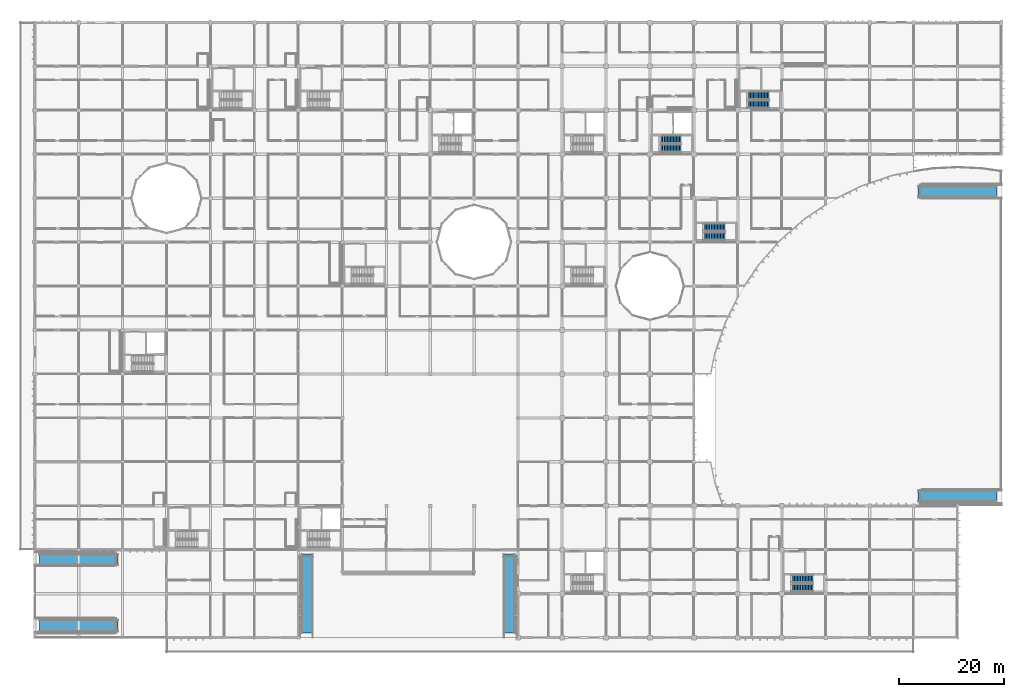
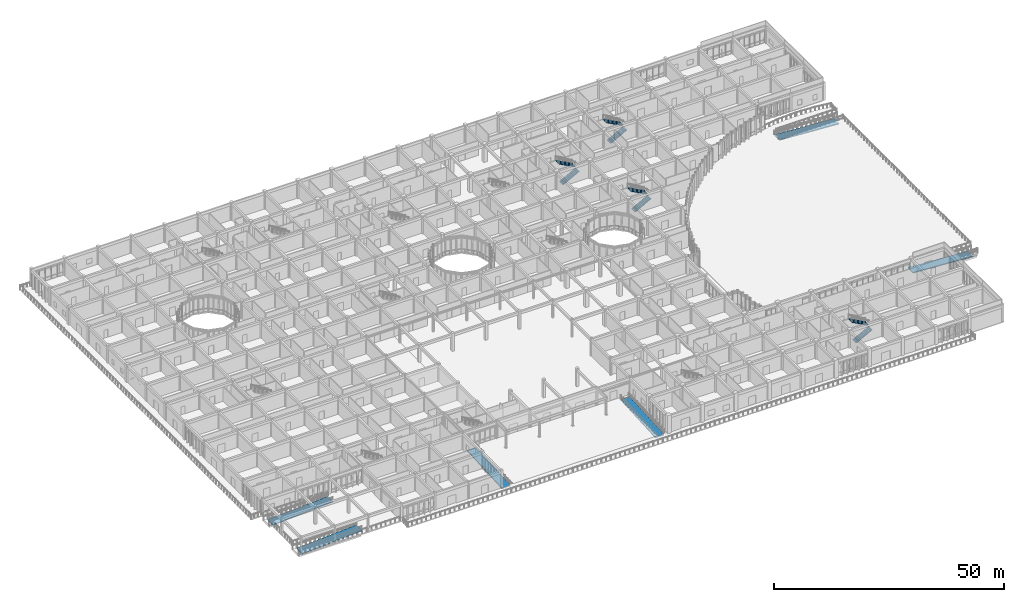
# One storey, part 114 of 138: 8 stair flights, 6 ramp flights, 10 elements without a shape of their own.
"""IFC4 building model written with IfcOpenShell, lengths in metres."""

from ifc_helpers import new_model, si_unit, direction, frame, origin, place, context, subcontext, project, spatial, polyline, outline, extrude, material, layer, layer_set, type_object, element, aggregate, save


model = new_model("IFC4")

# Units and contexts
model_context = context("Model", 3, precision=1e-05, world=origin(), true_north=direction((0.0, 1.0)))
body_context = subcontext(model_context, "Body", "Model", "MODEL_VIEW")
ifc_project = project(units=[si_unit("LENGTHUNIT", "METRE"), si_unit("AREAUNIT", "SQUARE_METRE"), si_unit("VOLUMEUNIT", "CUBIC_METRE"), si_unit("PLANEANGLEUNIT", "RADIAN"), si_unit("MASSUNIT", "GRAM", prefix="KILO")], contexts=[model_context])

# Site, building, storey
site_placement = place(None, origin())
site = spatial("IfcSite", under=ifc_project, at=site_placement, CompositionType="ELEMENT")
building_placement = place(site_placement, origin())
building = spatial("IfcBuilding", under=site, at=building_placement, Name="Bramfleet General Hospital", CompositionType="ELEMENT")
storey_placement = place(building_placement, origin())
storey = spatial("IfcBuildingStorey", under=building, at=storey_placement, Name="L00", CompositionType="ELEMENT", Elevation=0.0)

# Stair, stair flights
ifc_material = material(Name="Concrete C35/45", Category="concrete")
stair_type = type_object("IfcStairType", Name="STR-T2", PredefinedType="HALF_TURN_STAIR", material=ifc_material)
stair_1_placement = place(storey_placement, origin())
stair_1 = element("IfcStair", 1, at=stair_1_placement, inside=storey, type_object=stair_type, Name="L00 Core C6 (North-East Ward & Helipad) Protected Escape Stair", PredefinedType="HALF_TURN_STAIR")
stair_flight_type = type_object("IfcStairFlightType", Name="STF-T2", PredefinedType="STRAIGHT", material=ifc_material)
stair_flight_1_placement = place(storey_placement, frame((119.43994140625, 93.570068359375, 0.0), z_axis=(0.0, 0.0, 1.0), x_axis=(1.0, 0.0, 0.0)))
stair_flight_1 = element("IfcStairFlight", 2, at=stair_flight_1_placement, type_object=stair_flight_type, Name="ST-C6 flight 1", NumberOfRisers=15, NumberOfTreads=14, PredefinedType="STRAIGHT", RiserHeight=0.16, TreadLength=0.295, context=body_context, shape_type="SweptSolid", body=[
    extrude(outline(polyline([(0.0, 0.0), (0.0, 0.159912109375), (0.294921875, 0.159912109375), (0.294921875, 0.320068359375), (0.590087890625, 0.320068359375), (0.590087890625, 0.47998046875), (0.885009765625, 0.47998046875), (0.885009765625, 0.639892578125), (1.179931640625, 0.639892578125), (1.179931640625, 0.800048828125), (1.47509765625, 0.800048828125), (1.47509765625, 0.9599609375), (1.77001953125, 0.9599609375), (1.77001953125, 1.1201171875), (2.06494140625, 1.1201171875), (2.06494140625, 1.280029296875), (2.360107421875, 1.280029296875), (2.360107421875, 1.43994140625), (2.655029296875, 1.43994140625), (2.655029296875, 1.60009765625), (2.949951171875, 1.60009765625), (2.949951171875, 1.760009765625), (3.2451171875, 1.760009765625), (3.2451171875, 1.919921875), (3.5400390625, 1.919921875), (3.5400390625, 2.080078125), (3.8349609375, 2.080078125), (3.8349609375, 2.239990234375), (4.1298828125, 2.239990234375), (4.1298828125, 2.39990234375), (4.1298828125, 2.05810546875), (0.33544921875, 0.0), (0.0, 0.0)])), frame((0.0, 0.75, 0.0), z_axis=(0.0, -1.0, 0.0), x_axis=(1.0, 0.0, 0.0)), (0.0, 0.0, 1.0), 1.5),
])
stair_flight_2_placement = place(storey_placement, frame((123.570068359375, 95.22998046875, 2.39990234375), z_axis=(0.0, 0.0, 1.0), x_axis=(-1.0, 0.0, 0.0)))
stair_flight_2 = element("IfcStairFlight", 3, at=stair_flight_2_placement, type_object=stair_flight_type, Name="ST-C6 flight 2", NumberOfRisers=15, NumberOfTreads=14, PredefinedType="STRAIGHT", RiserHeight=0.16, TreadLength=0.295, context=body_context, shape_type="SweptSolid", body=[
    extrude(outline(polyline([(0.0, 0.0), (0.0, 0.159912109375), (0.294921875, 0.159912109375), (0.294921875, 0.320068359375), (0.590087890625, 0.320068359375), (0.590087890625, 0.47998046875), (0.885009765625, 0.47998046875), (0.885009765625, 0.639892578125), (1.179931640625, 0.639892578125), (1.179931640625, 0.800048828125), (1.47509765625, 0.800048828125), (1.47509765625, 0.9599609375), (1.77001953125, 0.9599609375), (1.77001953125, 1.1201171875), (2.06494140625, 1.1201171875), (2.06494140625, 1.280029296875), (2.360107421875, 1.280029296875), (2.360107421875, 1.43994140625), (2.655029296875, 1.43994140625), (2.655029296875, 1.60009765625), (2.949951171875, 1.60009765625), (2.949951171875, 1.760009765625), (3.2451171875, 1.760009765625), (3.2451171875, 1.919921875), (3.5400390625, 1.919921875), (3.5400390625, 2.080078125), (3.8349609375, 2.080078125), (3.8349609375, 2.239990234375), (4.1298828125, 2.239990234375), (4.1298828125, 2.39990234375), (4.1298828125, 2.05810546875), (0.33544921875, 0.0), (0.0, 0.0)])), frame((0.0, 0.75, 0.0), z_axis=(0.0, -1.0, 0.0), x_axis=(1.0, 0.0, 0.0)), (0.0, 0.0, 1.0), 1.5),
])
aggregate(stair_1, [stair_flight_1, stair_flight_2])

stair_2_placement = place(storey_placement, origin())
stair_2 = element("IfcStair", 4, at=stair_2_placement, inside=storey, type_object=stair_type, Name="L00 Core C9 (North-East Ward & Diagnostic Escape) Protected Escape Stair", PredefinedType="HALF_TURN_STAIR")
stair_flight_3_placement = place(storey_placement, frame((136.239990234375, 101.969970703125, 0.0), z_axis=(0.0, 0.0, 1.0), x_axis=(1.0, 0.0, 0.0)))
stair_flight_3 = element("IfcStairFlight", 5, at=stair_flight_3_placement, type_object=stair_flight_type, Name="ST-C9 flight 1", NumberOfRisers=15, NumberOfTreads=14, PredefinedType="STRAIGHT", RiserHeight=0.16, TreadLength=0.295, context=body_context, shape_type="SweptSolid", body=[
    extrude(outline(polyline([(0.0, 0.0), (0.0, 0.159912109375), (0.294921875, 0.159912109375), (0.294921875, 0.320068359375), (0.590087890625, 0.320068359375), (0.590087890625, 0.47998046875), (0.885009765625, 0.47998046875), (0.885009765625, 0.639892578125), (1.179931640625, 0.639892578125), (1.179931640625, 0.800048828125), (1.47509765625, 0.800048828125), (1.47509765625, 0.9599609375), (1.77001953125, 0.9599609375), (1.77001953125, 1.1201171875), (2.06494140625, 1.1201171875), (2.06494140625, 1.280029296875), (2.360107421875, 1.280029296875), (2.360107421875, 1.43994140625), (2.655029296875, 1.43994140625), (2.655029296875, 1.60009765625), (2.949951171875, 1.60009765625), (2.949951171875, 1.760009765625), (3.2451171875, 1.760009765625), (3.2451171875, 1.919921875), (3.5400390625, 1.919921875), (3.5400390625, 2.080078125), (3.8349609375, 2.080078125), (3.8349609375, 2.239990234375), (4.1298828125, 2.239990234375), (4.1298828125, 2.39990234375), (4.1298828125, 2.05810546875), (0.33544921875, 0.0), (0.0, 0.0)])), frame((0.0, 0.75, 0.0), z_axis=(0.0, -1.0, 0.0), x_axis=(1.0, 0.0, 0.0)), (0.0, 0.0, 1.0), 1.5),
])
stair_flight_4_placement = place(storey_placement, frame((140.3701171875, 103.6298828125, 2.39990234375), z_axis=(0.0, 0.0, 1.0), x_axis=(-1.0, 0.0, 0.0)))
stair_flight_4 = element("IfcStairFlight", 6, at=stair_flight_4_placement, type_object=stair_flight_type, Name="ST-C9 flight 2", NumberOfRisers=15, NumberOfTreads=14, PredefinedType="STRAIGHT", RiserHeight=0.16, TreadLength=0.295, context=body_context, shape_type="SweptSolid", body=[
    extrude(outline(polyline([(0.0, 0.0), (0.0, 0.159912109375), (0.294921875, 0.159912109375), (0.294921875, 0.320068359375), (0.590087890625, 0.320068359375), (0.590087890625, 0.47998046875), (0.885009765625, 0.47998046875), (0.885009765625, 0.639892578125), (1.179931640625, 0.639892578125), (1.179931640625, 0.800048828125), (1.47509765625, 0.800048828125), (1.47509765625, 0.9599609375), (1.77001953125, 0.9599609375), (1.77001953125, 1.1201171875), (2.06494140625, 1.1201171875), (2.06494140625, 1.280029296875), (2.360107421875, 1.280029296875), (2.360107421875, 1.43994140625), (2.655029296875, 1.43994140625), (2.655029296875, 1.60009765625), (2.949951171875, 1.60009765625), (2.949951171875, 1.760009765625), (3.2451171875, 1.760009765625), (3.2451171875, 1.919921875), (3.5400390625, 1.919921875), (3.5400390625, 2.080078125), (3.8349609375, 2.080078125), (3.8349609375, 2.239990234375), (4.1298828125, 2.239990234375), (4.1298828125, 2.39990234375), (4.1298828125, 2.05810546875), (0.33544921875, 0.0), (0.0, 0.0)])), frame((0.0, 0.75, 0.0), z_axis=(0.0, -1.0, 0.0), x_axis=(1.0, 0.0, 0.0)), (0.0, 0.0, 1.0), 1.5),
])
aggregate(stair_2, [stair_flight_3, stair_flight_4])

stair_3_placement = place(storey_placement, origin())
stair_3 = element("IfcStair", 7, at=stair_3_placement, inside=storey, type_object=stair_type, Name="L00 Core C10 (South-East Clinic & Ward Escape) Protected Escape Stair", PredefinedType="HALF_TURN_STAIR")
stair_flight_5_placement = place(storey_placement, frame((144.639892578125, 9.570068359375, 0.0), z_axis=(0.0, 0.0, 1.0), x_axis=(1.0, 0.0, 0.0)))
stair_flight_5 = element("IfcStairFlight", 8, at=stair_flight_5_placement, type_object=stair_flight_type, Name="ST-C10 flight 1", NumberOfRisers=15, NumberOfTreads=14, PredefinedType="STRAIGHT", RiserHeight=0.16, TreadLength=0.295, context=body_context, shape_type="SweptSolid", body=[
    extrude(outline(polyline([(0.0, 0.0), (0.0, 0.159912109375), (0.294921875, 0.159912109375), (0.294921875, 0.320068359375), (0.590087890625, 0.320068359375), (0.590087890625, 0.47998046875), (0.885009765625, 0.47998046875), (0.885009765625, 0.639892578125), (1.179931640625, 0.639892578125), (1.179931640625, 0.800048828125), (1.47509765625, 0.800048828125), (1.47509765625, 0.9599609375), (1.77001953125, 0.9599609375), (1.77001953125, 1.1201171875), (2.06494140625, 1.1201171875), (2.06494140625, 1.280029296875), (2.360107421875, 1.280029296875), (2.360107421875, 1.43994140625), (2.655029296875, 1.43994140625), (2.655029296875, 1.60009765625), (2.949951171875, 1.60009765625), (2.949951171875, 1.760009765625), (3.2451171875, 1.760009765625), (3.2451171875, 1.919921875), (3.5400390625, 1.919921875), (3.5400390625, 2.080078125), (3.8349609375, 2.080078125), (3.8349609375, 2.239990234375), (4.1298828125, 2.239990234375), (4.1298828125, 2.39990234375), (4.1298828125, 2.05810546875), (0.33544921875, 0.0), (0.0, 0.0)])), frame((0.0, 0.75, 0.0), z_axis=(0.0, -1.0, 0.0), x_axis=(1.0, 0.0, 0.0)), (0.0, 0.0, 1.0), 1.5),
])
stair_flight_6_placement = place(storey_placement, frame((148.77001953125, 11.22998046875, 2.39990234375), z_axis=(0.0, 0.0, 1.0), x_axis=(-1.0, 0.0, 0.0)))
stair_flight_6 = element("IfcStairFlight", 9, at=stair_flight_6_placement, type_object=stair_flight_type, Name="ST-C10 flight 2", NumberOfRisers=15, NumberOfTreads=14, PredefinedType="STRAIGHT", RiserHeight=0.16, TreadLength=0.295, context=body_context, shape_type="SweptSolid", body=[
    extrude(outline(polyline([(0.0, 0.0), (0.0, 0.159912109375), (0.294921875, 0.159912109375), (0.294921875, 0.320068359375), (0.590087890625, 0.320068359375), (0.590087890625, 0.47998046875), (0.885009765625, 0.47998046875), (0.885009765625, 0.639892578125), (1.179931640625, 0.639892578125), (1.179931640625, 0.800048828125), (1.47509765625, 0.800048828125), (1.47509765625, 0.9599609375), (1.77001953125, 0.9599609375), (1.77001953125, 1.1201171875), (2.06494140625, 1.1201171875), (2.06494140625, 1.280029296875), (2.360107421875, 1.280029296875), (2.360107421875, 1.43994140625), (2.655029296875, 1.43994140625), (2.655029296875, 1.60009765625), (2.949951171875, 1.60009765625), (2.949951171875, 1.760009765625), (3.2451171875, 1.760009765625), (3.2451171875, 1.919921875), (3.5400390625, 1.919921875), (3.5400390625, 2.080078125), (3.8349609375, 2.080078125), (3.8349609375, 2.239990234375), (4.1298828125, 2.239990234375), (4.1298828125, 2.39990234375), (4.1298828125, 2.05810546875), (0.33544921875, 0.0), (0.0, 0.0)])), frame((0.0, 0.75, 0.0), z_axis=(0.0, -1.0, 0.0), x_axis=(1.0, 0.0, 0.0)), (0.0, 0.0, 1.0), 1.5),
])
aggregate(stair_3, [stair_flight_5, stair_flight_6])

stair_4_placement = place(storey_placement, origin())
stair_4 = element("IfcStair", 10, at=stair_4_placement, inside=storey, type_object=stair_type, Name="L00 Core C12 (East Diagnostic Base Escape) Protected Escape Stair", PredefinedType="HALF_TURN_STAIR")
stair_flight_7_placement = place(storey_placement, frame((127.840087890625, 76.77001953125, 0.0), z_axis=(0.0, 0.0, 1.0), x_axis=(1.0, 0.0, 0.0)))
stair_flight_7 = element("IfcStairFlight", 11, at=stair_flight_7_placement, type_object=stair_flight_type, Name="ST-C12 flight 1", NumberOfRisers=15, NumberOfTreads=14, PredefinedType="STRAIGHT", RiserHeight=0.16, TreadLength=0.295, context=body_context, shape_type="SweptSolid", body=[
    extrude(outline(polyline([(0.0, 0.0), (0.0, 0.159912109375), (0.294921875, 0.159912109375), (0.294921875, 0.320068359375), (0.590087890625, 0.320068359375), (0.590087890625, 0.47998046875), (0.885009765625, 0.47998046875), (0.885009765625, 0.639892578125), (1.179931640625, 0.639892578125), (1.179931640625, 0.800048828125), (1.47509765625, 0.800048828125), (1.47509765625, 0.9599609375), (1.77001953125, 0.9599609375), (1.77001953125, 1.1201171875), (2.06494140625, 1.1201171875), (2.06494140625, 1.280029296875), (2.360107421875, 1.280029296875), (2.360107421875, 1.43994140625), (2.655029296875, 1.43994140625), (2.655029296875, 1.60009765625), (2.949951171875, 1.60009765625), (2.949951171875, 1.760009765625), (3.2451171875, 1.760009765625), (3.2451171875, 1.919921875), (3.5400390625, 1.919921875), (3.5400390625, 2.080078125), (3.8349609375, 2.080078125), (3.8349609375, 2.239990234375), (4.1298828125, 2.239990234375), (4.1298828125, 2.39990234375), (4.1298828125, 2.05810546875), (0.33544921875, 0.0), (0.0, 0.0)])), frame((0.0, 0.75, 0.0), z_axis=(0.0, -1.0, 0.0), x_axis=(1.0, 0.0, 0.0)), (0.0, 0.0, 1.0), 1.5),
])
stair_flight_8_placement = place(storey_placement, frame((131.969970703125, 78.429931640625, 2.39990234375), z_axis=(0.0, 0.0, 1.0), x_axis=(-1.0, 0.0, 0.0)))
stair_flight_8 = element("IfcStairFlight", 12, at=stair_flight_8_placement, type_object=stair_flight_type, Name="ST-C12 flight 2", NumberOfRisers=15, NumberOfTreads=14, PredefinedType="STRAIGHT", RiserHeight=0.16, TreadLength=0.295, context=body_context, shape_type="SweptSolid", body=[
    extrude(outline(polyline([(0.0, 0.0), (0.0, 0.159912109375), (0.294921875, 0.159912109375), (0.294921875, 0.320068359375), (0.590087890625, 0.320068359375), (0.590087890625, 0.47998046875), (0.885009765625, 0.47998046875), (0.885009765625, 0.639892578125), (1.179931640625, 0.639892578125), (1.179931640625, 0.800048828125), (1.47509765625, 0.800048828125), (1.47509765625, 0.9599609375), (1.77001953125, 0.9599609375), (1.77001953125, 1.1201171875), (2.06494140625, 1.1201171875), (2.06494140625, 1.280029296875), (2.360107421875, 1.280029296875), (2.360107421875, 1.43994140625), (2.655029296875, 1.43994140625), (2.655029296875, 1.60009765625), (2.949951171875, 1.60009765625), (2.949951171875, 1.760009765625), (3.2451171875, 1.760009765625), (3.2451171875, 1.919921875), (3.5400390625, 1.919921875), (3.5400390625, 2.080078125), (3.8349609375, 2.080078125), (3.8349609375, 2.239990234375), (4.1298828125, 2.239990234375), (4.1298828125, 2.39990234375), (4.1298828125, 2.05810546875), (0.33544921875, 0.0), (0.0, 0.0)])), frame((0.0, 0.75, 0.0), z_axis=(0.0, -1.0, 0.0), x_axis=(1.0, 0.0, 0.0)), (0.0, 0.0, 1.0), 1.5),
])
aggregate(stair_4, [stair_flight_7, stair_flight_8])

# Ramp, ramp flight
ramp_type = type_object("IfcRampType", Name="RMP-PLINTH", PredefinedType="STRAIGHT_RUN_RAMP", material=ifc_material)
ramp_1_placement = place(storey_placement, origin())
ramp_1 = element("IfcRamp", 13, at=ramp_1_placement, inside=storey, type_object=ramp_type, Name="Forecourt West Barrier-Free Ramp", PredefinedType="STRAIGHT_RUN_RAMP")
ifc_layer = layer(ifc_material, 0.25, Name="RMPF-PLINTH")
ifc_layer_set = layer_set([ifc_layer], Name="Concrete C35/45")
ramp_flight_type = type_object("IfcRampFlightType", Name="RMPF-PLINTH", PredefinedType="STRAIGHT", material=ifc_layer_set)
ramp_flight_1_placement = place(storey_placement, frame((52.10009765625, 0.89990234375, -0.89990234375), z_axis=(0.0, 0.0, 1.0), x_axis=(0.0, 1.0, 0.0)))
ramp_flight_1 = element("IfcRampFlight", 14, at=ramp_flight_1_placement, type_object=ramp_flight_type, Name="Forecourt West Barrier-Free Ramp Flight", PredefinedType="STRAIGHT", context=body_context, shape_type="SweptSolid", body=[
    extrude(outline(polyline([(0.0, 0.0), (0.0, -0.25), (15.050048828125, 0.64990234375), (15.050048828125, 0.89990234375), (0.0, 0.0)])), frame((0.0, 1.10009765625, 0.0), z_axis=(0.0, -1.0, 0.0), x_axis=(1.0, 0.0, 0.0)), (0.0, 0.0, 1.0), 2.199951171875),
])
aggregate(ramp_1, [ramp_flight_1])

ramp_2_placement = place(storey_placement, origin())
ramp_2 = element("IfcRamp", 15, at=ramp_2_placement, inside=storey, type_object=ramp_type, Name="Forecourt East Barrier-Free Ramp", PredefinedType="STRAIGHT_RUN_RAMP")
ramp_flight_2_placement = place(storey_placement, frame((90.699951171875, 0.89990234375, -0.89990234375), z_axis=(0.0, 0.0, 1.0), x_axis=(0.0, 1.0, 0.0)))
ramp_flight_2 = element("IfcRampFlight", 16, at=ramp_flight_2_placement, type_object=ramp_flight_type, Name="Forecourt East Barrier-Free Ramp Flight", PredefinedType="STRAIGHT", context=body_context, shape_type="SweptSolid", body=[
    extrude(outline(polyline([(0.0, 0.0), (0.0, -0.25), (15.050048828125, 0.64990234375), (15.050048828125, 0.89990234375), (0.0, 0.0)])), frame((0.0, 1.10009765625, 0.0), z_axis=(0.0, -1.0, 0.0), x_axis=(1.0, 0.0, 0.0)), (0.0, 0.0, 1.0), 2.199951171875),
])
aggregate(ramp_2, [ramp_flight_2])

ramp_3_placement = place(storey_placement, origin())
ramp_3 = element("IfcRamp", 17, at=ramp_3_placement, inside=storey, type_object=ramp_type, Name="South-West Plinth Barrier-Free Ramp", PredefinedType="STRAIGHT_RUN_RAMP")
ramp_flight_3_placement = place(storey_placement, frame((0.89990234375, 2.300048828125, -0.89990234375), z_axis=(0.0, 0.0, 1.0), x_axis=(1.0, 0.0, 0.0)))
ramp_flight_3 = element("IfcRampFlight", 18, at=ramp_flight_3_placement, type_object=ramp_flight_type, Name="South-West Plinth Barrier-Free Ramp Flight", PredefinedType="STRAIGHT", context=body_context, shape_type="SweptSolid", body=[
    extrude(outline(polyline([(0.0, 0.0), (0.0, -0.25), (15.050048828125, 0.64990234375), (15.050048828125, 0.89990234375), (0.0, 0.0)])), frame((0.0, 1.199951171875, 0.0), z_axis=(0.0, -1.0, 0.0), x_axis=(1.0, 0.0, 0.0)), (0.0, 0.0, 1.0), 2.39990234375),
])
aggregate(ramp_3, [ramp_flight_3])

ramp_4_placement = place(storey_placement, origin())
ramp_4 = element("IfcRamp", 19, at=ramp_4_placement, inside=storey, type_object=ramp_type, Name="Emergency Pedestrian Plinth Ramp", PredefinedType="STRAIGHT_RUN_RAMP")
ramp_flight_4_placement = place(storey_placement, frame((0.89990234375, 14.89990234375, -0.89990234375), z_axis=(0.0, 0.0, 1.0), x_axis=(1.0, 0.0, 0.0)))
ramp_flight_4 = element("IfcRampFlight", 20, at=ramp_flight_4_placement, type_object=ramp_flight_type, Name="Emergency Pedestrian Plinth Ramp Flight", PredefinedType="STRAIGHT", context=body_context, shape_type="SweptSolid", body=[
    extrude(outline(polyline([(0.0, 0.0), (0.0, -0.25), (15.050048828125, 0.64990234375), (15.050048828125, 0.89990234375), (0.0, 0.0)])), frame((0.0, 1.10009765625, 0.0), z_axis=(0.0, -1.0, 0.0), x_axis=(1.0, 0.0, 0.0)), (0.0, 0.0, 1.0), 2.199951171875),
])
aggregate(ramp_4, [ramp_flight_4])

ramp_5_placement = place(storey_placement, origin())
ramp_5 = element("IfcRamp", 21, at=ramp_5_placement, inside=storey, type_object=ramp_type, Name="Garden Court South Plinth Ramp", PredefinedType="STRAIGHT_RUN_RAMP")
ramp_flight_5_placement = place(storey_placement, frame((183.89990234375, 27.0, -0.89990234375), z_axis=(0.0, 0.0, 1.0), x_axis=(-1.0, 0.0, 0.0)))
ramp_flight_5 = element("IfcRampFlight", 22, at=ramp_flight_5_placement, type_object=ramp_flight_type, Name="Garden Court South Plinth Ramp Flight", PredefinedType="STRAIGHT", context=body_context, shape_type="SweptSolid", body=[
    extrude(outline(polyline([(0.0, 0.0), (0.0, -0.25), (15.050048828125, 0.64990234375), (15.050048828125, 0.89990234375), (0.0, 0.0)])), frame((0.0, 1.10009765625, 0.0), z_axis=(0.0, -1.0, 0.0), x_axis=(1.0, 0.0, 0.0)), (0.0, 0.0, 1.0), 2.199951171875),
])
aggregate(ramp_5, [ramp_flight_5])

ramp_6_placement = place(storey_placement, origin())
ramp_6 = element("IfcRamp", 23, at=ramp_6_placement, inside=storey, type_object=ramp_type, Name="Garden Court North Plinth Ramp", PredefinedType="STRAIGHT_RUN_RAMP")
ramp_flight_6_placement = place(storey_placement, frame((183.89990234375, 85.199951171875, -0.89990234375), z_axis=(0.0, 0.0, 1.0), x_axis=(-1.0, 0.0, 0.0)))
ramp_flight_6 = element("IfcRampFlight", 24, at=ramp_flight_6_placement, type_object=ramp_flight_type, Name="Garden Court North Plinth Ramp Flight", PredefinedType="STRAIGHT", context=body_context, shape_type="SweptSolid", body=[
    extrude(outline(polyline([(0.0, 0.0), (0.0, -0.25), (15.050048828125, 0.64990234375), (15.050048828125, 0.89990234375), (0.0, 0.0)])), frame((0.0, 1.10009765625, 0.0), z_axis=(0.0, -1.0, 0.0), x_axis=(1.0, 0.0, 0.0)), (0.0, 0.0, 1.0), 2.199951171875),
])
aggregate(ramp_6, [ramp_flight_6])

save(model, "model.ifc")
